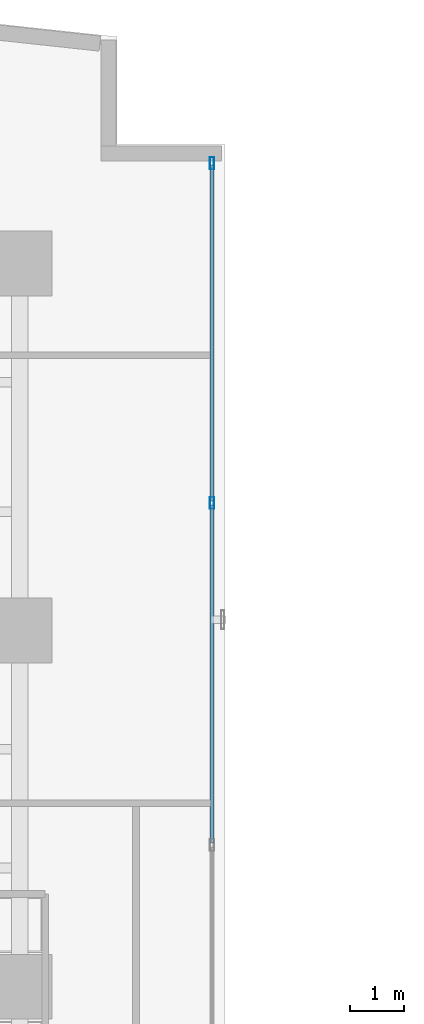
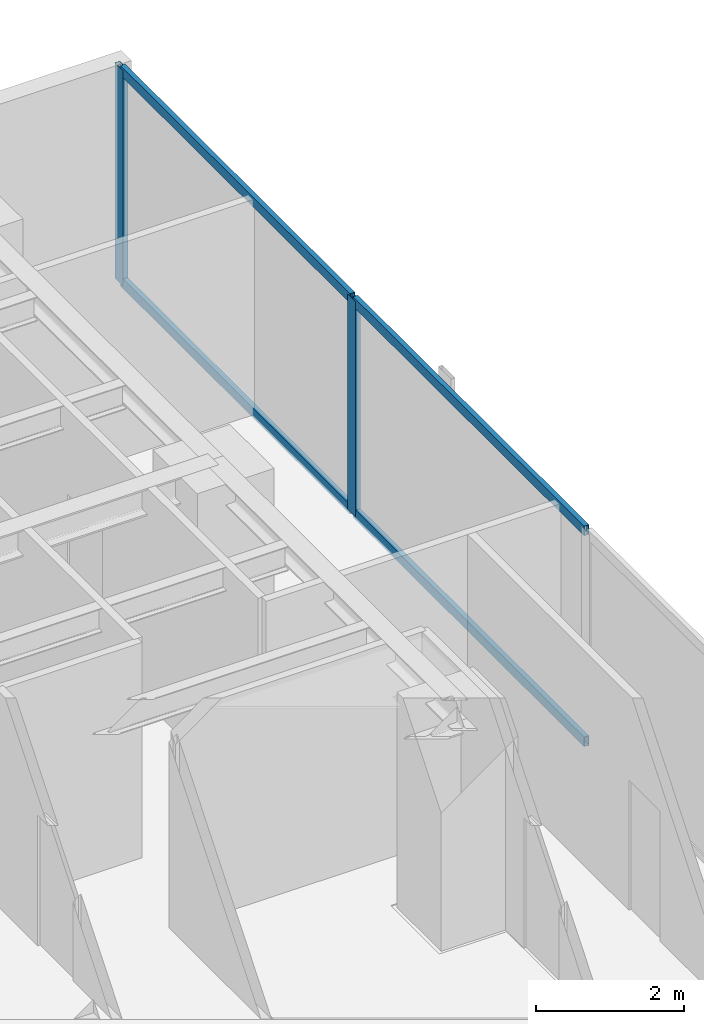
# One storey, part 18 of 27: 6 members, 1 element without a shape of its own.
"""IFC4 building model written with IfcOpenShell, lengths in metres."""

from ifc_helpers import new_model, si_unit, direction, frame, origin, origin_with_axes, origin_2d, place, context, subcontext, project, spatial, hollow_rectangle, extrude, source, transform, mapped, material, layer, layer_set, material_profile, profile_set, type_object, element, aggregate, save


model = new_model("IFC4")

# Units and contexts
model_context = context("Model", 3, precision=1e-05, world=origin(), true_north=direction((0.0, 1.0)))
body_context = subcontext(model_context, "Body", "Model", "MODEL_VIEW")
ifc_project = project(units=[si_unit("LENGTHUNIT", "METRE"), si_unit("AREAUNIT", "SQUARE_METRE"), si_unit("VOLUMEUNIT", "CUBIC_METRE"), si_unit("PLANEANGLEUNIT", "RADIAN"), si_unit("MASSUNIT", "GRAM", prefix="KILO")], contexts=[model_context])

# Site, building, storey
site_placement = place(None, origin())
site = spatial("IfcSite", under=ifc_project, at=site_placement, CompositionType="ELEMENT")
building_placement = place(site_placement, origin())
building = spatial("IfcBuilding", under=site, at=building_placement, Name="Kolvaren Waterfront Exchange", CompositionType="ELEMENT")
storey_placement = place(building_placement, frame((0.0, 0.0, 161.39990234375)))
storey = spatial("IfcBuildingStorey", under=building, at=storey_placement, Name="L41", CompositionType="ELEMENT", Elevation=161.39990234375)

# Curtain wall, members
ifc_material_1 = material(Name="Anodised bronze aluminium 6063-T6", Category="aluminium")
ifc_layer = layer(ifc_material_1, 0.219970703125, Name="Anodised bronze aluminium 6063-T6")
ifc_layer_set = layer_set([ifc_layer], Name="Anodised bronze aluminium 6063-T6")
curtain_wall_type = type_object("IfcCurtainWallType", Name="ARC-CW-SYS1", PredefinedType="USERDEFINED", material=ifc_layer_set)
curtain_wall_placement = place(storey_placement, origin())
curtain_wall = element("IfcCurtainWall", 1, at=curtain_wall_placement, inside=storey, type_object=curtain_wall_type, Name="L41 stick curtain wall CW1 (CW-L41-NE)", ObjectType="STICK CURTAIN WALL", PredefinedType="USERDEFINED")
ifc_material_2 = material(Name="Anodised aluminium 6063-T6", Category="aluminium")
ifc_material_profile_1 = material_profile(ifc_material_2, hollow_rectangle(XDim=0.080078125, YDim=0.219970703125, WallThickness=0.0048828125, at=origin_2d()), Name="ALU-MUL-220x80x5")
ifc_profile_set_1 = profile_set([ifc_material_profile_1], Name="Anodised aluminium 6063-T6")
member_type_1 = type_object("IfcMemberType", Name="ARC-CWM-220", PredefinedType="MULLION", material=ifc_profile_set_1)
shared_shape_1 = source(origin_with_axes(), body_context, "Body", "SweptSolid", [
    extrude(hollow_rectangle(XDim=0.080078125, YDim=0.219970703125, WallThickness=0.0048828125, at=origin_2d()), origin(), (0.0, 0.0, 1.0), 3.56005859375),
])
member_1_placement = place(storey_placement, frame((22.360107421875, 40.163330078125, 0.0), z_axis=(0.0, 0.0, 1.0), x_axis=(-1.0, 0.0, 0.0)))
member_1 = element("IfcMember", 2, at=member_1_placement, type_object=member_type_1, Name="CW1 mullion 3", PredefinedType="MULLION", context=body_context, shape_type="MappedRepresentation", body=[
    mapped(shared_shape_1, transform((0.0, 0.0, 0.0), x_axis=(1.0, 0.0, 0.0), y_axis=(0.0, 1.0, 0.0), z_axis=(0.0, 0.0, 1.0), scale=1.0)),
])
member_2_placement = place(storey_placement, frame((22.360107421875, 46.4599609375, 0.0), z_axis=(0.0, 0.0, 1.0), x_axis=(-1.0, 0.0, 0.0)))
member_2 = element("IfcMember", 3, at=member_2_placement, type_object=member_type_1, Name="CW1 mullion 4", PredefinedType="MULLION", context=body_context, shape_type="MappedRepresentation", body=[
    mapped(shared_shape_1, transform((0.0, 0.0, 0.0), x_axis=(1.0, 0.0, 0.0), y_axis=(0.0, 1.0, 0.0), z_axis=(0.0, 0.0, 1.0), scale=1.0)),
])
ifc_material_profile_2 = material_profile(ifc_material_2, hollow_rectangle(XDim=0.074951171875, YDim=0.159912109375, WallThickness=0.00439453125, at=origin_2d()), Name="ALU-TRN-160x75x4.5")
ifc_profile_set_2 = profile_set([ifc_material_profile_2], Name="Anodised aluminium 6063-T6")
member_type_2 = type_object("IfcMemberType", Name="ARC-CWT-160", PredefinedType="USERDEFINED", material=ifc_profile_set_2)
shared_shape_2 = source(origin_with_axes(), body_context, "Body", "SweptSolid", [
    extrude(hollow_rectangle(XDim=0.074951171875, YDim=0.159912109375, WallThickness=0.00439453125, at=origin_2d()), origin(), (0.0, 0.0, 1.0), 6.216552734375),
])
member_3_placement = place(storey_placement, frame((22.360107421875, 40.203369140625, 0.03759765625), z_axis=(0.0, 1.0, 0.0), x_axis=(-1.0, 0.0, 0.0)))
member_3 = element("IfcMember", 4, at=member_3_placement, type_object=member_type_2, Name="CW1 transom 3.1", ObjectType="TRANSOM", PredefinedType="USERDEFINED", context=body_context, shape_type="MappedRepresentation", body=[
    mapped(shared_shape_2, transform((0.0, 0.0, 0.0), x_axis=(1.0, 0.0, 0.0), y_axis=(0.0, 1.0, 0.0), z_axis=(0.0, 0.0, 1.0), scale=1.0)),
])
member_4_placement = place(storey_placement, frame((22.360107421875, 40.203369140625, 3.522705078125), z_axis=(0.0, 1.0, 0.0), x_axis=(-1.0, 0.0, 0.0)))
member_4 = element("IfcMember", 5, at=member_4_placement, type_object=member_type_2, Name="CW1 transom 3.2", ObjectType="TRANSOM", PredefinedType="USERDEFINED", context=body_context, shape_type="MappedRepresentation", body=[
    mapped(shared_shape_2, transform((0.0, 0.0, 0.0), x_axis=(1.0, 0.0, 0.0), y_axis=(0.0, 1.0, 0.0), z_axis=(0.0, 0.0, 1.0), scale=1.0)),
])
shared_shape_3 = source(origin_with_axes(), body_context, "Body", "SweptSolid", [
    extrude(hollow_rectangle(XDim=0.074951171875, YDim=0.159912109375, WallThickness=0.00439453125, at=origin_2d()), origin(), (0.0, 0.0, 1.0), 6.256591796875),
])
member_5_placement = place(storey_placement, frame((22.360107421875, 33.86669921875, 0.03759765625), z_axis=(0.0, 1.0, 0.0), x_axis=(-1.0, 0.0, 0.0)))
member_5 = element("IfcMember", 6, at=member_5_placement, type_object=member_type_2, Name="CW1 transom 2.1", ObjectType="TRANSOM", PredefinedType="USERDEFINED", context=body_context, shape_type="MappedRepresentation", body=[
    mapped(shared_shape_3, transform((0.0, 0.0, 0.0), x_axis=(1.0, 0.0, 0.0), y_axis=(0.0, 1.0, 0.0), z_axis=(0.0, 0.0, 1.0), scale=1.0)),
])
member_6_placement = place(storey_placement, frame((22.360107421875, 33.86669921875, 3.522705078125), z_axis=(0.0, 1.0, 0.0), x_axis=(-1.0, 0.0, 0.0)))
member_6 = element("IfcMember", 7, at=member_6_placement, type_object=member_type_2, Name="CW1 transom 2.2", ObjectType="TRANSOM", PredefinedType="USERDEFINED", context=body_context, shape_type="MappedRepresentation", body=[
    mapped(shared_shape_3, transform((0.0, 0.0, 0.0), x_axis=(1.0, 0.0, 0.0), y_axis=(0.0, 1.0, 0.0), z_axis=(0.0, 0.0, 1.0), scale=1.0)),
])
aggregate(curtain_wall, [member_1, member_2, member_5, member_6, member_3, member_4])

save(model, "model.ifc")
